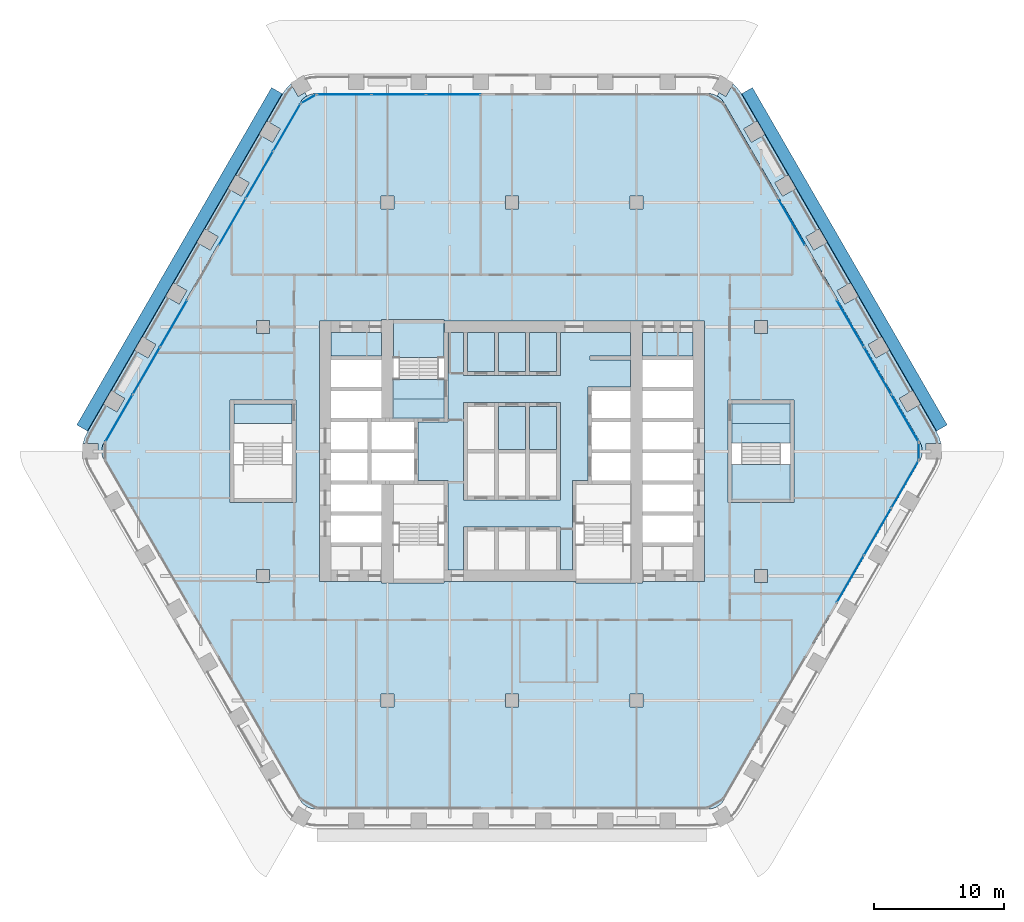
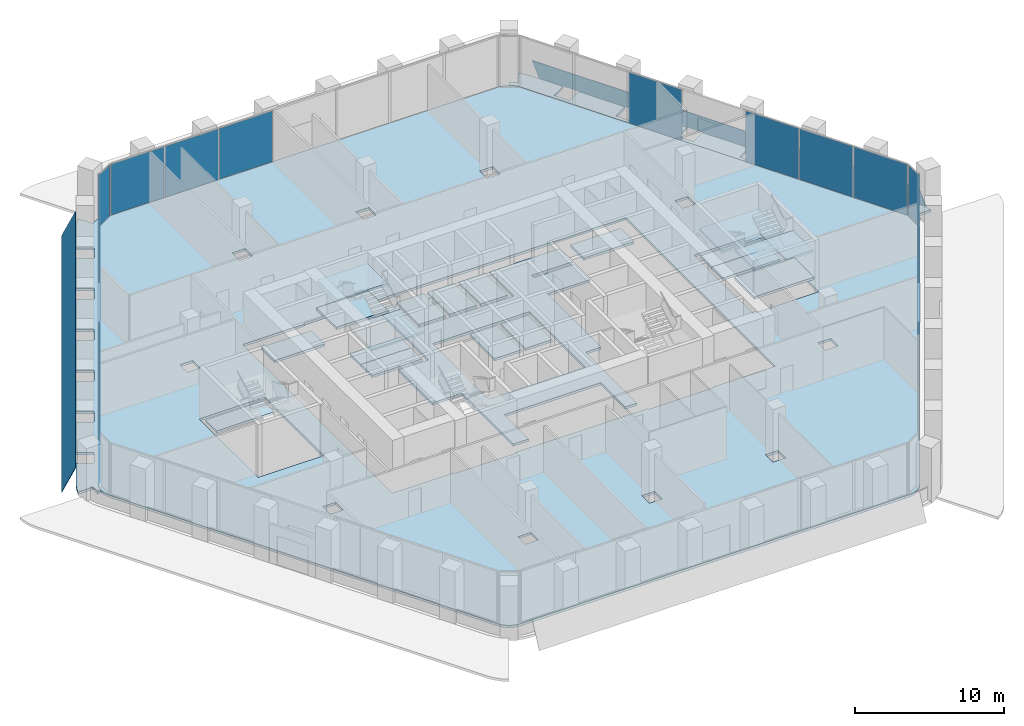
# One storey, part 11 of 23: 22 slabs, 20 plates, 10 elements without a shape of their own.
"""IFC4 building model written with IfcOpenShell, lengths in metres."""

from ifc_helpers import new_model, si_unit, direction, frame, origin, origin_2d, place, context, subcontext, project, spatial, polyline, rectangle, outline, extrude, material, layer, layer_set, type_object, element, aggregate, save


model = new_model("IFC4")

# Units and contexts
model_context = context("Model", 3, precision=1e-05, world=origin(), true_north=direction((0.0, 1.0)))
body_context = subcontext(model_context, "Body", "Model", "MODEL_VIEW")
ifc_project = project(units=[si_unit("LENGTHUNIT", "METRE"), si_unit("AREAUNIT", "SQUARE_METRE"), si_unit("VOLUMEUNIT", "CUBIC_METRE"), si_unit("PLANEANGLEUNIT", "RADIAN"), si_unit("MASSUNIT", "GRAM", prefix="KILO")], contexts=[model_context])

# Site, building, storey
site_placement = place(None, origin())
site = spatial("IfcSite", under=ifc_project, at=site_placement, CompositionType="ELEMENT")
building_placement = place(site_placement, origin())
building = spatial("IfcBuilding", under=site, at=building_placement, Name="Kolab Exchange Tower", CompositionType="ELEMENT")
storey_placement = place(building_placement, frame((0.0, 0.0, 77.89990234375)))
storey = spatial("IfcBuildingStorey", under=building, at=storey_placement, Name="L14", CompositionType="ELEMENT", Elevation=77.89990234375)

# Slabs
ifc_material_1 = material(Name="Concrete C35/45", Category="concrete")
ifc_layer_1 = layer(ifc_material_1, 0.199951171875)
ifc_layer_set_1 = layer_set([ifc_layer_1], Name="Concrete C35/45")
slab_type_1 = type_object("IfcSlabType", Name="FLOOR SLAB 200", PredefinedType="FLOOR", material=ifc_layer_set_1)
slab_1_placement = place(storey_placement, frame((0.0, 0.0, -0.199951171875)))
element("IfcSlab", 1, at=slab_1_placement, inside=storey, type_object=slab_type_1, Name="slab/L14/floor/0", PredefinedType="FLOOR", context=body_context, shape_type="SweptSolid", body=[
    extrude(outline(polyline([(16.366943359375, -26.848388671875), (31.434814453125, -0.75), (31.54541015625, -0.512939453125), (31.613037109375, -0.260498046875), (31.635986328125, 0.0), (31.613037109375, 0.260498046875), (31.54541015625, 0.512939453125), (31.434814453125, 0.75), (16.366943359375, 26.848388671875), (16.217041015625, 27.062744140625), (16.0322265625, 27.24755859375), (15.81787109375, 27.3974609375), (15.5810546875, 27.508056640625), (15.328369140625, 27.57568359375), (15.06787109375, 27.598388671875), (-15.06787109375, 27.598388671875), (-15.328369140625, 27.57568359375), (-15.5810546875, 27.508056640625), (-15.81787109375, 27.3974609375), (-16.0322265625, 27.24755859375), (-16.217041015625, 27.062744140625), (-16.366943359375, 26.848388671875), (-31.434814453125, 0.75), (-31.54541015625, 0.512939453125), (-31.613037109375, 0.260498046875), (-31.635986328125, 0.0), (-31.613037109375, -0.260498046875), (-31.54541015625, -0.512939453125), (-31.434814453125, -0.75), (-16.366943359375, -26.848388671875), (-16.217041015625, -27.062744140625), (-16.0322265625, -27.24755859375), (-15.81787109375, -27.3974609375), (-15.5810546875, -27.508056640625), (-15.328369140625, -27.57568359375), (-15.06787109375, -27.598388671875), (15.06787109375, -27.598388671875), (15.328369140625, -27.57568359375), (15.5810546875, -27.508056640625), (15.81787109375, -27.3974609375), (16.0322265625, -27.24755859375), (16.217041015625, -27.062744140625), (16.366943359375, -26.848388671875)]), holes=[polyline([(-13.949951171875, -10.050048828125), (-14.85009765625, -10.050048828125), (-14.85009765625, 10.050048828125), (-13.949951171875, 10.050048828125), (-10.050048828125, 10.050048828125), (-10.050048828125, 10.14990234375), (-9.14990234375, 10.14990234375), (-5.25, 10.14990234375), (-5.25, 10.050048828125), (9.14990234375, 10.050048828125), (10.050048828125, 10.050048828125), (13.949951171875, 10.050048828125), (14.85009765625, 10.050048828125), (14.85009765625, -10.050048828125), (13.949951171875, -10.050048828125), (10.050048828125, -10.050048828125), (10.050048828125, -10.14990234375), (9.14990234375, -10.14990234375), (4.949951171875, -10.14990234375), (4.949951171875, -10.050048828125), (-5.25, -10.050048828125), (-5.25, -10.14990234375), (-9.14990234375, -10.14990234375), (-10.050048828125, -10.14990234375), (-10.050048828125, -10.050048828125), (-13.949951171875, -10.050048828125)]), polyline([(-18.699951171875, -9.10009765625), (-18.699951171875, -10.10009765625), (-19.699951171875, -10.10009765625), (-19.699951171875, -9.10009765625), (-18.699951171875, -9.10009765625)]), polyline([(-21.449951171875, -3.949951171875), (-21.75, -3.949951171875), (-21.75, 3.949951171875), (-21.449951171875, 3.949951171875), (-16.949951171875, 3.949951171875), (-16.64990234375, 3.949951171875), (-16.64990234375, -3.949951171875), (-16.949951171875, -3.949951171875), (-21.449951171875, -3.949951171875)]), polyline([(-18.699951171875, 10.10009765625), (-18.699951171875, 9.10009765625), (-19.699951171875, 9.10009765625), (-19.699951171875, 10.10009765625), (-18.699951171875, 10.10009765625)]), polyline([(-9.10009765625, -18.699951171875), (-9.10009765625, -19.699951171875), (-10.10009765625, -19.699951171875), (-10.10009765625, -18.699951171875), (-9.10009765625, -18.699951171875)]), polyline([(-9.10009765625, 19.699951171875), (-9.10009765625, 18.699951171875), (-10.10009765625, 18.699951171875), (-10.10009765625, 19.699951171875), (-9.10009765625, 19.699951171875)]), polyline([(9.10009765625, -18.699951171875), (10.10009765625, -18.699951171875), (10.10009765625, -19.699951171875), (9.10009765625, -19.699951171875), (9.10009765625, -18.699951171875)]), polyline([(-0.5, -18.699951171875), (0.5, -18.699951171875), (0.5, -19.699951171875), (-0.5, -19.699951171875), (-0.5, -18.699951171875)]), polyline([(0.5, 19.699951171875), (0.5, 18.699951171875), (-0.5, 18.699951171875), (-0.5, 19.699951171875), (0.5, 19.699951171875)]), polyline([(10.10009765625, 19.699951171875), (10.10009765625, 18.699951171875), (9.10009765625, 18.699951171875), (9.10009765625, 19.699951171875), (10.10009765625, 19.699951171875)]), polyline([(19.699951171875, -9.10009765625), (19.699951171875, -10.10009765625), (18.699951171875, -10.10009765625), (18.699951171875, -9.10009765625), (19.699951171875, -9.10009765625)]), polyline([(21.449951171875, 3.949951171875), (21.75, 3.949951171875), (21.75, -3.949951171875), (21.449951171875, -3.949951171875), (16.949951171875, -3.949951171875), (16.64990234375, -3.949951171875), (16.64990234375, 3.949951171875), (16.949951171875, 3.949951171875), (21.449951171875, 3.949951171875)]), polyline([(19.699951171875, 10.10009765625), (19.699951171875, 9.10009765625), (18.699951171875, 9.10009765625), (18.699951171875, 10.10009765625), (19.699951171875, 10.10009765625)])]), origin(), (0.0, 0.0, 1.0), 0.199951171875),
])
slab_2_placement = place(storey_placement, frame((0.0, 0.0, -0.199951171875)))
element("IfcSlab", 2, at=slab_2_placement, inside=storey, type_object=slab_type_1, Name="slab/L14/floor/1", PredefinedType="FLOOR", context=body_context, shape_type="SweptSolid", body=[
    extrude(outline(polyline([(-4.949951171875, 9.14990234375), (-4.949951171875, 2.25), (-5.25, 2.25), (-7.25, 2.25), (-7.25, -2.25), (-5.25, -2.25), (-4.949951171875, -2.25), (-4.949951171875, -9.14990234375), (-3.75, -9.14990234375), (-3.75, -5.85009765625), (-3.449951171875, -5.85009765625), (-1.35009765625, -5.85009765625), (-1.050048828125, -5.85009765625), (1.050048828125, -5.85009765625), (1.35009765625, -5.85009765625), (3.449951171875, -5.85009765625), (3.75, -5.85009765625), (3.75, -9.14990234375), (4.64990234375, -9.14990234375), (4.64990234375, -2.25), (4.949951171875, -2.25), (5.85009765625, -2.25), (5.85009765625, 4.949951171875), (6.14990234375, 4.949951171875), (9.14990234375, 4.949951171875), (9.14990234375, 7.050048828125), (6.0, 7.050048828125), (6.0, 7.35009765625), (9.14990234375, 7.35009765625), (9.14990234375, 9.14990234375), (3.75, 9.14990234375), (3.75, 5.85009765625), (3.449951171875, 5.85009765625), (1.35009765625, 5.85009765625), (1.050048828125, 5.85009765625), (-1.050048828125, 5.85009765625), (-1.35009765625, 5.85009765625), (-3.449951171875, 5.85009765625), (-3.75, 5.85009765625), (-3.75, 9.14990234375), (-4.949951171875, 9.14990234375)]), holes=[polyline([(-3.75, -3.75), (-3.75, 3.75), (-3.449951171875, 3.75), (-1.35009765625, 3.75), (-1.050048828125, 3.75), (1.050048828125, 3.75), (1.35009765625, 3.75), (3.449951171875, 3.75), (3.75, 3.75), (3.75, -3.75), (3.449951171875, -3.75), (1.35009765625, -3.75), (1.050048828125, -3.75), (-1.050048828125, -3.75), (-1.35009765625, -3.75), (-3.449951171875, -3.75), (-3.75, -3.75)])]), origin(), (0.0, 0.0, 1.0), 0.199951171875),
])
slab_3_placement = place(storey_placement, frame((0.0, 0.0, -0.199951171875)))
element("IfcSlab", 3, at=slab_3_placement, inside=storey, type_object=slab_type_1, Name="slab/L14/floor/3", PredefinedType="FLOOR", context=body_context, shape_type="SweptSolid", body=[
    extrude(outline(polyline([(-10.050048828125, 9.14990234375), (-13.949951171875, 9.14990234375), (-13.949951171875, 7.35009765625), (-10.050048828125, 7.35009765625), (-10.050048828125, 9.14990234375)])), origin(), (0.0, 0.0, 1.0), 0.199951171875),
])
slab_4_placement = place(storey_placement, frame((0.0, 0.0, -0.199951171875)))
element("IfcSlab", 4, at=slab_4_placement, inside=storey, type_object=slab_type_1, Name="slab/L14/floor/5", PredefinedType="FLOOR", context=body_context, shape_type="SweptSolid", body=[
    extrude(outline(polyline([(13.949951171875, 9.14990234375), (10.050048828125, 9.14990234375), (10.050048828125, 7.35009765625), (13.949951171875, 7.35009765625), (13.949951171875, 9.14990234375)])), origin(), (0.0, 0.0, 1.0), 0.199951171875),
])
slab_5_placement = place(storey_placement, frame((0.0, 0.0, -0.199951171875)))
element("IfcSlab", 5, at=slab_5_placement, inside=storey, type_object=slab_type_1, Name="slab/L14/floor/9", PredefinedType="FLOOR", context=body_context, shape_type="SweptSolid", body=[
    extrude(outline(polyline([(-1.050048828125, 3.449951171875), (-1.050048828125, 0.14990234375), (1.050048828125, 0.14990234375), (1.050048828125, 3.449951171875), (-1.050048828125, 3.449951171875)])), origin(), (0.0, 0.0, 1.0), 0.199951171875),
])
slab_6_placement = place(storey_placement, frame((0.0, 0.0, -0.199951171875)))
element("IfcSlab", 6, at=slab_6_placement, inside=storey, type_object=slab_type_1, Name="slab/L14/floor/11", PredefinedType="FLOOR", context=body_context, shape_type="SweptSolid", body=[
    extrude(outline(polyline([(1.35009765625, 0.14990234375), (3.449951171875, 0.14990234375), (3.449951171875, 3.449951171875), (1.35009765625, 3.449951171875), (1.35009765625, 0.14990234375)])), origin(), (0.0, 0.0, 1.0), 0.199951171875),
])
slab_7_placement = place(storey_placement, frame((0.0, 0.0, -0.199951171875)))
element("IfcSlab", 7, at=slab_7_placement, inside=storey, type_object=slab_type_1, Name="slab/L14/floor/12", PredefinedType="FLOOR", context=body_context, shape_type="SweptSolid", body=[
    extrude(outline(polyline([(-21.449951171875, 3.64990234375), (-21.449951171875, 2.14990234375), (-16.949951171875, 2.14990234375), (-16.949951171875, 3.64990234375), (-21.449951171875, 3.64990234375)])), origin(), (0.0, 0.0, 1.0), 0.199951171875),
])
slab_8_placement = place(storey_placement, frame((0.0, 0.0, -0.199951171875)))
element("IfcSlab", 8, at=slab_8_placement, inside=storey, type_object=slab_type_1, Name="slab/L14/floor/13", PredefinedType="FLOOR", context=body_context, shape_type="SweptSolid", body=[
    extrude(outline(polyline([(21.449951171875, 3.64990234375), (16.949951171875, 3.64990234375), (16.949951171875, 2.14990234375), (21.449951171875, 2.14990234375), (21.449951171875, 3.64990234375)])), origin(), (0.0, 0.0, 1.0), 0.199951171875),
])
slab_9_placement = place(storey_placement, frame((0.0, 0.0, -0.199951171875)))
element("IfcSlab", 9, at=slab_9_placement, inside=storey, type_object=slab_type_1, Name="slab/L14/floor/15", PredefinedType="FLOOR", context=body_context, shape_type="SweptSolid", body=[
    extrude(outline(polyline([(-1.35009765625, 6.14990234375), (-1.35009765625, 9.14990234375), (-3.449951171875, 9.14990234375), (-3.449951171875, 6.14990234375), (-1.35009765625, 6.14990234375)])), origin(), (0.0, 0.0, 1.0), 0.199951171875),
])
slab_10_placement = place(storey_placement, frame((0.0, 0.0, -0.199951171875)))
element("IfcSlab", 10, at=slab_10_placement, inside=storey, type_object=slab_type_1, Name="slab/L14/floor/17", PredefinedType="FLOOR", context=body_context, shape_type="SweptSolid", body=[
    extrude(outline(polyline([(-1.050048828125, 9.14990234375), (-1.050048828125, 6.14990234375), (1.050048828125, 6.14990234375), (1.050048828125, 9.14990234375), (-1.050048828125, 9.14990234375)])), origin(), (0.0, 0.0, 1.0), 0.199951171875),
])
slab_11_placement = place(storey_placement, frame((0.0, 0.0, -0.199951171875)))
element("IfcSlab", 11, at=slab_11_placement, inside=storey, type_object=slab_type_1, Name="slab/L14/floor/19", PredefinedType="FLOOR", context=body_context, shape_type="SweptSolid", body=[
    extrude(outline(polyline([(1.35009765625, 6.14990234375), (3.449951171875, 6.14990234375), (3.449951171875, 9.14990234375), (1.35009765625, 9.14990234375), (1.35009765625, 6.14990234375)])), origin(), (0.0, 0.0, 1.0), 0.199951171875),
])
slab_12_placement = place(storey_placement, frame((0.0, 0.0, -0.199951171875)))
element("IfcSlab", 12, at=slab_12_placement, inside=storey, type_object=slab_type_1, Name="slab/L14/floor/22", PredefinedType="FLOOR", context=body_context, shape_type="SweptSolid", body=[
    extrude(outline(polyline([(-5.25, 4.050048828125), (-9.14990234375, 4.050048828125), (-9.14990234375, 2.550048828125), (-7.550048828125, 2.550048828125), (-7.25, 2.550048828125), (-5.25, 2.550048828125), (-5.25, 4.050048828125)])), origin(), (0.0, 0.0, 1.0), 0.199951171875),
])
ifc_layer_2 = layer(ifc_material_1, 0.199951171875)
ifc_layer_set_2 = layer_set([ifc_layer_2], Name="Concrete C35/45")
slab_type_2 = type_object("IfcSlabType", Name="LOGGIA SLAB 200", PredefinedType="FLOOR", material=ifc_layer_set_2)
slab_13_placement = place(storey_placement, frame((0.0, 0.0, -0.199951171875)))
element("IfcSlab", 13, at=slab_13_placement, inside=storey, type_object=slab_type_2, Name="slab/L14/loggia/1-0", PredefinedType="FLOOR", context=body_context, shape_type="SweptSolid", body=[
    extrude(outline(polyline([(31.635986328125, 0.0), (31.935791015625, 0.0), (31.935791015625, 0.60009765625), (33.069091796875, 0.60009765625), (32.955078125, 1.026123046875), (32.73388671875, 1.5), (31.5, 3.63720703125), (30.460693359375, 3.037353515625), (29.86083984375, 4.076416015625), (30.89990234375, 4.676513671875), (29.10009765625, 7.794189453125), (28.060791015625, 7.1943359375), (27.460693359375, 8.2333984375), (28.5, 8.83349609375), (26.699951171875, 11.951171875), (25.660888671875, 11.35107421875), (25.060791015625, 12.390380859375), (26.10009765625, 12.990478515625), (24.300048828125, 16.108154296875), (23.2607421875, 15.508056640625), (22.660888671875, 16.54736328125), (23.699951171875, 17.147216796875), (21.89990234375, 20.264892578125), (20.86083984375, 19.6650390625), (20.2607421875, 20.704345703125), (21.300048828125, 21.30419921875), (19.5, 24.421875), (18.460693359375, 23.822021484375), (17.86083984375, 24.861083984375), (18.89990234375, 25.461181640625), (17.666015625, 27.598388671875), (17.365966796875, 28.02685546875), (17.05419921875, 28.338623046875), (16.487548828125, 27.357177734375), (15.968017578125, 27.6572265625), (15.81787109375, 27.3974609375), (16.0322265625, 27.24755859375), (16.217041015625, 27.062744140625), (16.366943359375, 26.848388671875), (31.434814453125, 0.75), (31.54541015625, 0.512939453125), (31.613037109375, 0.260498046875), (31.635986328125, 0.0)])), origin(), (0.0, 0.0, 1.0), 0.199951171875),
])
slab_14_placement = place(storey_placement, frame((0.0, 0.0, -0.199951171875)))
element("IfcSlab", 14, at=slab_14_placement, inside=storey, type_object=slab_type_2, Name="slab/L14/loggia/5-0", PredefinedType="FLOOR", context=body_context, shape_type="SweptSolid", body=[
    extrude(outline(polyline([(-15.81787109375, 27.3974609375), (-15.968017578125, 27.6572265625), (-16.487548828125, 27.357177734375), (-17.05419921875, 28.338623046875), (-17.365966796875, 28.02685546875), (-17.666015625, 27.598388671875), (-18.89990234375, 25.461181640625), (-17.86083984375, 24.861083984375), (-18.460693359375, 23.822021484375), (-19.5, 24.421875), (-21.300048828125, 21.30419921875), (-20.2607421875, 20.704345703125), (-20.86083984375, 19.6650390625), (-21.89990234375, 20.264892578125), (-23.699951171875, 17.147216796875), (-22.660888671875, 16.54736328125), (-23.2607421875, 15.508056640625), (-24.300048828125, 16.108154296875), (-26.10009765625, 12.990478515625), (-25.060791015625, 12.390380859375), (-25.660888671875, 11.35107421875), (-26.699951171875, 11.951171875), (-28.5, 8.83349609375), (-27.460693359375, 8.2333984375), (-28.060791015625, 7.1943359375), (-29.10009765625, 7.794189453125), (-30.89990234375, 4.676513671875), (-29.86083984375, 4.076416015625), (-30.460693359375, 3.037353515625), (-31.5, 3.63720703125), (-32.73388671875, 1.5), (-32.955078125, 1.026123046875), (-33.069091796875, 0.60009765625), (-31.935791015625, 0.60009765625), (-31.935791015625, 0.0), (-31.635986328125, 0.0), (-31.613037109375, 0.260498046875), (-31.54541015625, 0.512939453125), (-31.434814453125, 0.75), (-16.366943359375, 26.848388671875), (-16.217041015625, 27.062744140625), (-16.0322265625, 27.24755859375), (-15.81787109375, 27.3974609375)])), origin(), (0.0, 0.0, 1.0), 0.199951171875),
])

# Plates
ifc_material_2 = material(Name="Laminated glass, clear", Category="glass")
ifc_layer_3 = layer(ifc_material_2, 0.0400390625)
ifc_layer_set_3 = layer_set([ifc_layer_3], Name="Laminated glass, clear")
plate_type_1 = type_object("IfcPlateType", Name="OUTER SKIN LAMINATED GLASS SHEET 40", PredefinedType="SHEET", material=ifc_layer_set_3)
plate_1_placement = place(storey_placement, frame((18.540283203125, 28.04541015625, -0.73291015625), z_axis=(0.78488749746, 0.453155039209, 0.422613448403), x_axis=(0.499999167166, -0.866025884618, 2.126414e-06)))
element("IfcPlate", 15, at=plate_1_placement, inside=storey, type_object=plate_type_1, Name="Outer skin", PredefinedType="SHEET", context=body_context, shape_type="SweptSolid", body=[
    extrude(outline(polyline([(0.0, 0.0), (30.035931798469555, 0.0), (30.035821559359643, -2.2341565300489714), (-2.087711834573829e-05, -2.2342974723957343), (0.0, 0.0)])), origin(), (0.0, 0.0, -1.0), 0.0400390625),
])
plate_2_placement = place(storey_placement, frame((-33.55810546875, 2.033447265625, -0.73291015625), z_axis=(-0.78488749746, 0.453155039209, 0.422613448403), x_axis=(0.499999167166, 0.866025884618, -2.126414e-06)))
element("IfcPlate", 16, at=plate_2_placement, inside=storey, type_object=plate_type_1, Name="Outer skin", PredefinedType="SHEET", context=body_context, shape_type="SweptSolid", body=[
    extrude(outline(polyline([(0.0, 0.0), (30.035931798469555, 0.0), (30.035952675587897, -2.234297472395734), (0.00011023910991124468, -2.234156530048972), (0.0, 0.0)])), origin(), (0.0, 0.0, -1.0), 0.0400390625),
])

# Stair, slabs
ifc_material_3 = material(Name="Concrete C50/60", Category="concrete")
stair_type_1 = type_object("IfcStairType", Name="STAIR ST1 RISER 160.7", PredefinedType="DOUBLE_RETURN_STAIR", material=ifc_material_3)
stair_1_placement = place(storey_placement, origin())
stair_1 = element("IfcStair", 17, at=stair_1_placement, inside=storey, type_object=stair_type_1, Name="Stair 1", PredefinedType="DOUBLE_RETURN_STAIR")
ifc_layer_4 = layer(ifc_material_3, 0.199951171875)
ifc_layer_set_4 = layer_set([ifc_layer_4], Name="Concrete C50/60")
slab_type_3 = type_object("IfcSlabType", Name="STAIR LANDING 200", PredefinedType="LANDING", material=ifc_layer_set_4)
slab_15_placement = place(storey_placement, frame((0.0, 0.0, -0.199951171875)))
slab_15 = element("IfcSlab", 18, at=slab_15_placement, type_object=slab_type_3, Name="ST1 landing 1", PredefinedType="LANDING", context=body_context, shape_type="SweptSolid", body=[
    extrude(outline(polyline([(-9.14990234375, 4.050048828125), (-5.25, 4.050048828125), (-5.25, 5.550048828125), (-9.14990234375, 5.550048828125), (-9.14990234375, 4.050048828125)])), origin(), (0.0, 0.0, 1.0), 0.199951171875),
])
slab_16_placement = place(storey_placement, frame((0.0, 0.0, 0.925048828125)))
slab_16 = element("IfcSlab", 19, at=slab_16_placement, type_object=slab_type_3, Name="ST1 landing 2", PredefinedType="LANDING", context=body_context, shape_type="SweptSolid", body=[
    extrude(outline(polyline([(-9.2099609375, 7.22998046875), (-5.18994140625, 7.22998046875), (-5.18994140625, 9.909912109375), (-9.2099609375, 9.909912109375), (-9.2099609375, 7.22998046875)])), origin(), (0.0, 0.0, 1.0), 0.199951171875),
])
slab_17_placement = place(storey_placement, frame((0.0, 0.0, 2.050048828125)))
slab_17 = element("IfcSlab", 20, at=slab_17_placement, type_object=slab_type_3, Name="ST1 landing 3", PredefinedType="LANDING", context=body_context, shape_type="SweptSolid", body=[
    extrude(outline(polyline([(-9.2099609375, 2.489990234375), (-5.18994140625, 2.489990234375), (-5.18994140625, 5.550048828125), (-9.2099609375, 5.550048828125), (-9.2099609375, 2.489990234375)])), origin(), (0.0, 0.0, 1.0), 0.199951171875),
])
slab_18_placement = place(storey_placement, frame((0.0, 0.0, 3.175048828125)))
slab_18 = element("IfcSlab", 21, at=slab_18_placement, type_object=slab_type_3, Name="ST1 landing 4", PredefinedType="LANDING", context=body_context, shape_type="SweptSolid", body=[
    extrude(outline(polyline([(-9.14990234375, 7.22998046875), (-5.25, 7.22998046875), (-5.25, 9.909912109375), (-9.14990234375, 9.909912109375), (-9.14990234375, 7.22998046875)])), origin(), (0.0, 0.0, 1.0), 0.199951171875),
])
aggregate(stair_1, [slab_15, slab_16, slab_17, slab_18])

stair_type_2 = type_object("IfcStairType", Name="STAIR ST4 RISER 160.7", PredefinedType="DOUBLE_RETURN_STAIR", material=ifc_material_3)
stair_2_placement = place(storey_placement, origin())
stair_2 = element("IfcStair", 22, at=stair_2_placement, inside=storey, type_object=stair_type_2, Name="Stair 4", PredefinedType="DOUBLE_RETURN_STAIR")
slab_19_placement = place(storey_placement, frame((0.0, 0.0, -0.199951171875)))
slab_19 = element("IfcSlab", 23, at=slab_19_placement, type_object=slab_type_3, Name="ST4 landing 1", PredefinedType="LANDING", context=body_context, shape_type="SweptSolid", body=[
    extrude(outline(polyline([(16.949951171875, 0.64990234375), (21.449951171875, 0.64990234375), (21.449951171875, 2.14990234375), (16.949951171875, 2.14990234375), (16.949951171875, 0.64990234375)])), origin(), (0.0, 0.0, 1.0), 0.199951171875),
])
slab_20_placement = place(storey_placement, frame((0.0, 0.0, 0.925048828125)))
slab_20 = element("IfcSlab", 24, at=slab_20_placement, type_object=slab_type_3, Name="ST4 landing 2", PredefinedType="LANDING", context=body_context, shape_type="SweptSolid", body=[
    extrude(outline(polyline([(16.889892578125, -3.7099609375), (21.510009765625, -3.7099609375), (21.510009765625, -1.030029296875), (16.889892578125, -1.030029296875), (16.889892578125, -3.7099609375)])), origin(), (0.0, 0.0, 1.0), 0.199951171875),
])
slab_21_placement = place(storey_placement, frame((0.0, 0.0, 2.050048828125)))
slab_21 = element("IfcSlab", 25, at=slab_21_placement, type_object=slab_type_3, Name="ST4 landing 3", PredefinedType="LANDING", context=body_context, shape_type="SweptSolid", body=[
    extrude(outline(polyline([(16.889892578125, 0.64990234375), (21.510009765625, 0.64990234375), (21.510009765625, 3.7099609375), (16.889892578125, 3.7099609375), (16.889892578125, 0.64990234375)])), origin(), (0.0, 0.0, 1.0), 0.199951171875),
])
slab_22_placement = place(storey_placement, frame((0.0, 0.0, 3.175048828125)))
slab_22 = element("IfcSlab", 26, at=slab_22_placement, type_object=slab_type_3, Name="ST4 landing 4", PredefinedType="LANDING", context=body_context, shape_type="SweptSolid", body=[
    extrude(outline(polyline([(16.949951171875, -3.7099609375), (21.449951171875, -3.7099609375), (21.449951171875, -1.030029296875), (16.949951171875, -1.030029296875), (16.949951171875, -3.7099609375)])), origin(), (0.0, 0.0, 1.0), 0.199951171875),
])
aggregate(stair_2, [slab_19, slab_20, slab_21, slab_22])

# Curtain wall, plates
ifc_material_4 = material(Name="Aluminium EN AW-6063 T6", Category="aluminium")
curtain_wall_type = type_object("IfcCurtainWallType", Name="UNITISED LOWER MID ZONE CURTAIN WALL", PredefinedType="NOTDEFINED", material=ifc_material_4)
curtain_wall_1_placement = place(storey_placement, origin())
curtain_wall_1 = element("IfcCurtainWall", 27, at=curtain_wall_1_placement, inside=storey, type_object=curtain_wall_type, Name="cw/L14/F1-1", PredefinedType="NOTDEFINED")
ifc_material_5 = material(Name="Clear insulated glazing unit", Category="glass")
ifc_layer_5 = layer(ifc_material_5, 0.02587890625)
ifc_layer_set_5 = layer_set([ifc_layer_5], Name="Clear insulated glazing unit")
plate_type_2 = type_object("IfcPlateType", Name="UNITISED LOWER MID ZONE GLASS PANEL 26", PredefinedType="CURTAIN_PANEL", material=ifc_layer_set_5)
plate_3_placement = place(storey_placement, frame((-12.941650390625, 27.5185546875, 0.06005859375), z_axis=(0.0, 0.0, 1.0), x_axis=(1.0, 0.0, 0.0)))
plate_3 = element("IfcPlate", 28, at=plate_3_placement, type_object=plate_type_2, Name="CW2 panel 1.1", PredefinedType="CURTAIN_PANEL", context=body_context, shape_type="SweptSolid", body=[
    extrude(rectangle(XDim=4.132568359375, YDim=0.02587890625, at=origin_2d()), origin(), (0.0, 0.0, 1.0), 4.179931640625),
])
plate_4_placement = place(storey_placement, frame((-8.73388671875, 27.5185546875, 0.06005859375), z_axis=(0.0, 0.0, 1.0), x_axis=(1.0, 0.0, 0.0)))
plate_4 = element("IfcPlate", 29, at=plate_4_placement, type_object=plate_type_2, Name="CW2 panel 2.1", PredefinedType="CURTAIN_PANEL", context=body_context, shape_type="SweptSolid", body=[
    extrude(rectangle(XDim=4.16259765625, YDim=0.02587890625, at=origin_2d()), origin(), (0.0, 0.0, 1.0), 4.179931640625),
])
plate_5_placement = place(storey_placement, frame((-4.5263671875, 27.5185546875, 0.06005859375), z_axis=(0.0, 0.0, 1.0), x_axis=(1.0, 0.0, 0.0)))
plate_5 = element("IfcPlate", 30, at=plate_5_placement, type_object=plate_type_2, Name="CW2 panel 3.1", PredefinedType="CURTAIN_PANEL", context=body_context, shape_type="SweptSolid", body=[
    extrude(rectangle(XDim=4.132568359375, YDim=0.02587890625, at=origin_2d()), origin(), (0.0, 0.0, 1.0), 4.179931640625),
])
aggregate(curtain_wall_1, [plate_3, plate_4, plate_5])

# Curtain wall, plate
curtain_wall_2_placement = place(storey_placement, origin())
curtain_wall_2 = element("IfcCurtainWall", 31, at=curtain_wall_2_placement, inside=storey, type_object=curtain_wall_type, Name="cw/L14/F2-1", PredefinedType="NOTDEFINED")
plate_6_placement = place(storey_placement, frame((21.568603515625, 17.67919921875, 0.06005859375), z_axis=(0.0, 0.0, 1.0), x_axis=(0.500000017564, -0.866025393644, 0.0)))
plate_6 = element("IfcPlate", 32, at=plate_6_placement, type_object=plate_type_2, Name="CW2 panel 3.1", PredefinedType="CURTAIN_PANEL", context=body_context, shape_type="SweptSolid", body=[
    extrude(rectangle(XDim=4.132568359375, YDim=0.02587890625, at=origin_2d()), origin(), (0.0, 0.0, 1.0), 4.179931640625),
])
aggregate(curtain_wall_2, [plate_6])

# Curtain wall, plates
curtain_wall_3_placement = place(storey_placement, origin())
curtain_wall_3 = element("IfcCurtainWall", 33, at=curtain_wall_3_placement, inside=storey, type_object=curtain_wall_type, Name="cw/L14/F2-2", PredefinedType="NOTDEFINED")
plate_7_placement = place(storey_placement, frame((26.0947265625, 9.83935546875, 0.06005859375), z_axis=(0.0, 0.0, 1.0), x_axis=(0.499999958358, -0.866025427826, 0.0)))
plate_7 = element("IfcPlate", 34, at=plate_7_placement, type_object=plate_type_2, Name="CW2 panel 1.1", PredefinedType="CURTAIN_PANEL", context=body_context, shape_type="SweptSolid", body=[
    extrude(rectangle(XDim=4.132568359375, YDim=0.02587890625, at=origin_2d()), origin(), (0.0, 0.0, 1.0), 4.179931640625),
])
plate_8_placement = place(storey_placement, frame((28.19873046875, 6.1953125, 0.06005859375), z_axis=(0.0, 0.0, 1.0), x_axis=(0.499999958358, -0.866025427826, 0.0)))
plate_8 = element("IfcPlate", 35, at=plate_8_placement, type_object=plate_type_2, Name="CW2 panel 2.1", PredefinedType="CURTAIN_PANEL", context=body_context, shape_type="SweptSolid", body=[
    extrude(rectangle(XDim=4.16259765625, YDim=0.02587890625, at=origin_2d()), origin(), (0.0, 0.0, 1.0), 4.179931640625),
])
plate_9_placement = place(storey_placement, frame((30.302490234375, 2.551513671875, 0.06005859375), z_axis=(0.0, 0.0, 1.0), x_axis=(0.499999958358, -0.866025427826, 0.0)))
plate_9 = element("IfcPlate", 36, at=plate_9_placement, type_object=plate_type_2, Name="CW2 panel 3.1", PredefinedType="CURTAIN_PANEL", context=body_context, shape_type="SweptSolid", body=[
    extrude(rectangle(XDim=4.132568359375, YDim=0.02587890625, at=origin_2d()), origin(), (0.0, 0.0, 1.0), 4.179931640625),
])
aggregate(curtain_wall_3, [plate_7, plate_8, plate_9])

curtain_wall_4_placement = place(storey_placement, origin())
curtain_wall_4 = element("IfcCurtainWall", 37, at=curtain_wall_4_placement, inside=storey, type_object=curtain_wall_type, Name="cw/L14/F3-1", PredefinedType="NOTDEFINED")
plate_10_placement = place(storey_placement, frame((30.302490234375, -2.551513671875, 0.06005859375), z_axis=(0.0, 0.0, 1.0), x_axis=(-0.499999958358, -0.866025427826, 0.0)))
plate_10 = element("IfcPlate", 38, at=plate_10_placement, type_object=plate_type_2, Name="CW2 panel 1.1", PredefinedType="CURTAIN_PANEL", context=body_context, shape_type="SweptSolid", body=[
    extrude(rectangle(XDim=4.132568359375, YDim=0.02587890625, at=origin_2d()), origin(), (0.0, 0.0, 1.0), 4.179931640625),
])
plate_11_placement = place(storey_placement, frame((28.19873046875, -6.1953125, 0.06005859375), z_axis=(0.0, 0.0, 1.0), x_axis=(-0.499999958358, -0.866025427826, 0.0)))
plate_11 = element("IfcPlate", 39, at=plate_11_placement, type_object=plate_type_2, Name="CW2 panel 2.1", PredefinedType="CURTAIN_PANEL", context=body_context, shape_type="SweptSolid", body=[
    extrude(rectangle(XDim=4.16259765625, YDim=0.02587890625, at=origin_2d()), origin(), (0.0, 0.0, 1.0), 4.179931640625),
])
plate_12_placement = place(storey_placement, frame((26.0947265625, -9.83935546875, 0.06005859375), z_axis=(0.0, 0.0, 1.0), x_axis=(-0.499999958358, -0.866025427826, 0.0)))
plate_12 = element("IfcPlate", 40, at=plate_12_placement, type_object=plate_type_2, Name="CW2 panel 3.1", PredefinedType="CURTAIN_PANEL", context=body_context, shape_type="SweptSolid", body=[
    extrude(rectangle(XDim=4.132568359375, YDim=0.02587890625, at=origin_2d()), origin(), (0.0, 0.0, 1.0), 4.179931640625),
])
aggregate(curtain_wall_4, [plate_10, plate_11, plate_12])

curtain_wall_5_placement = place(storey_placement, origin())
curtain_wall_5 = element("IfcCurtainWall", 41, at=curtain_wall_5_placement, inside=storey, type_object=curtain_wall_type, Name="cw/L14/F6-1", PredefinedType="NOTDEFINED")
plate_13_placement = place(storey_placement, frame((-30.302490234375, 2.551513671875, 0.06005859375), z_axis=(0.0, 0.0, 1.0), x_axis=(0.499999958358, 0.866025427826, 0.0)))
plate_13 = element("IfcPlate", 42, at=plate_13_placement, type_object=plate_type_2, Name="CW2 panel 1.1", PredefinedType="CURTAIN_PANEL", context=body_context, shape_type="SweptSolid", body=[
    extrude(rectangle(XDim=4.132568359375, YDim=0.02587890625, at=origin_2d()), origin(), (0.0, 0.0, 1.0), 4.179931640625),
])
plate_14_placement = place(storey_placement, frame((-28.19873046875, 6.1953125, 0.06005859375), z_axis=(0.0, 0.0, 1.0), x_axis=(0.499999958358, 0.866025427826, 0.0)))
plate_14 = element("IfcPlate", 43, at=plate_14_placement, type_object=plate_type_2, Name="CW2 panel 2.1", PredefinedType="CURTAIN_PANEL", context=body_context, shape_type="SweptSolid", body=[
    extrude(rectangle(XDim=4.16259765625, YDim=0.02587890625, at=origin_2d()), origin(), (0.0, 0.0, 1.0), 4.179931640625),
])
plate_15_placement = place(storey_placement, frame((-26.0947265625, 9.83935546875, 0.06005859375), z_axis=(0.0, 0.0, 1.0), x_axis=(0.499999958358, 0.866025427826, 0.0)))
plate_15 = element("IfcPlate", 44, at=plate_15_placement, type_object=plate_type_2, Name="CW2 panel 3.1", PredefinedType="CURTAIN_PANEL", context=body_context, shape_type="SweptSolid", body=[
    extrude(rectangle(XDim=4.132568359375, YDim=0.02587890625, at=origin_2d()), origin(), (0.0, 0.0, 1.0), 4.179931640625),
])
aggregate(curtain_wall_5, [plate_13, plate_14, plate_15])

curtain_wall_6_placement = place(storey_placement, origin())
curtain_wall_6 = element("IfcCurtainWall", 45, at=curtain_wall_6_placement, inside=storey, type_object=curtain_wall_type, Name="cw/L14/F6-2", PredefinedType="NOTDEFINED")
plate_16_placement = place(storey_placement, frame((-21.568603515625, 17.67919921875, 0.06005859375), z_axis=(0.0, 0.0, 1.0), x_axis=(0.500000017564, 0.866025393644, 0.0)))
plate_16 = element("IfcPlate", 46, at=plate_16_placement, type_object=plate_type_2, Name="CW2 panel 1.1", PredefinedType="CURTAIN_PANEL", context=body_context, shape_type="SweptSolid", body=[
    extrude(rectangle(XDim=4.132568359375, YDim=0.02587890625, at=origin_2d()), origin(), (0.0, 0.0, 1.0), 4.179931640625),
])
plate_17_placement = place(storey_placement, frame((-19.464599609375, 21.322998046875, 0.06005859375), z_axis=(0.0, 0.0, 1.0), x_axis=(0.500000017564, 0.866025393644, 0.0)))
plate_17 = element("IfcPlate", 47, at=plate_17_placement, type_object=plate_type_2, Name="CW2 panel 2.1", PredefinedType="CURTAIN_PANEL", context=body_context, shape_type="SweptSolid", body=[
    extrude(rectangle(XDim=4.16259765625, YDim=0.02587890625, at=origin_2d()), origin(), (0.0, 0.0, 1.0), 4.179931640625),
])
plate_18_placement = place(storey_placement, frame((-17.36083984375, 24.967041015625, 0.06005859375), z_axis=(0.0, 0.0, 1.0), x_axis=(0.500000017564, 0.866025393644, 0.0)))
plate_18 = element("IfcPlate", 48, at=plate_18_placement, type_object=plate_type_2, Name="CW2 panel 3.1", PredefinedType="CURTAIN_PANEL", context=body_context, shape_type="SweptSolid", body=[
    extrude(rectangle(XDim=4.132568359375, YDim=0.02587890625, at=origin_2d()), origin(), (0.0, 0.0, 1.0), 4.179931640625),
])
aggregate(curtain_wall_6, [plate_16, plate_17, plate_18])

# Curtain wall, plate
curtain_wall_7_placement = place(storey_placement, origin())
curtain_wall_7 = element("IfcCurtainWall", 49, at=curtain_wall_7_placement, inside=storey, type_object=curtain_wall_type, Name="cw/L14/F2F3-corner", PredefinedType="NOTDEFINED")
plate_19_placement = place(storey_placement, frame((31.36572265625, 0.0, 0.06005859375), z_axis=(0.0, 0.0, 1.0), x_axis=(0.0, -1.0, 0.0)))
plate_19 = element("IfcPlate", 50, at=plate_19_placement, type_object=plate_type_2, Name="CW2 panel 1.1", PredefinedType="CURTAIN_PANEL", context=body_context, shape_type="SweptSolid", body=[
    extrude(rectangle(XDim=1.300048828125, YDim=0.02587890625, at=origin_2d()), origin(), (0.0, 0.0, 1.0), 4.179931640625),
])
aggregate(curtain_wall_7, [plate_19])

curtain_wall_8_placement = place(storey_placement, origin())
curtain_wall_8 = element("IfcCurtainWall", 51, at=curtain_wall_8_placement, inside=storey, type_object=curtain_wall_type, Name="cw/L14/F6F1-corner", PredefinedType="NOTDEFINED")
plate_20_placement = place(storey_placement, frame((-15.682861328125, 27.16357421875, 0.06005859375), z_axis=(0.0, 0.0, 1.0), x_axis=(0.866025390869, 0.50000002237, 0.0)))
plate_20 = element("IfcPlate", 52, at=plate_20_placement, type_object=plate_type_2, Name="CW2 panel 1.1", PredefinedType="CURTAIN_PANEL", context=body_context, shape_type="SweptSolid", body=[
    extrude(rectangle(XDim=1.300048828125, YDim=0.02587890625, at=origin_2d()), origin(), (0.0, 0.0, 1.0), 4.179931640625),
])
aggregate(curtain_wall_8, [plate_20])

save(model, "model.ifc")
